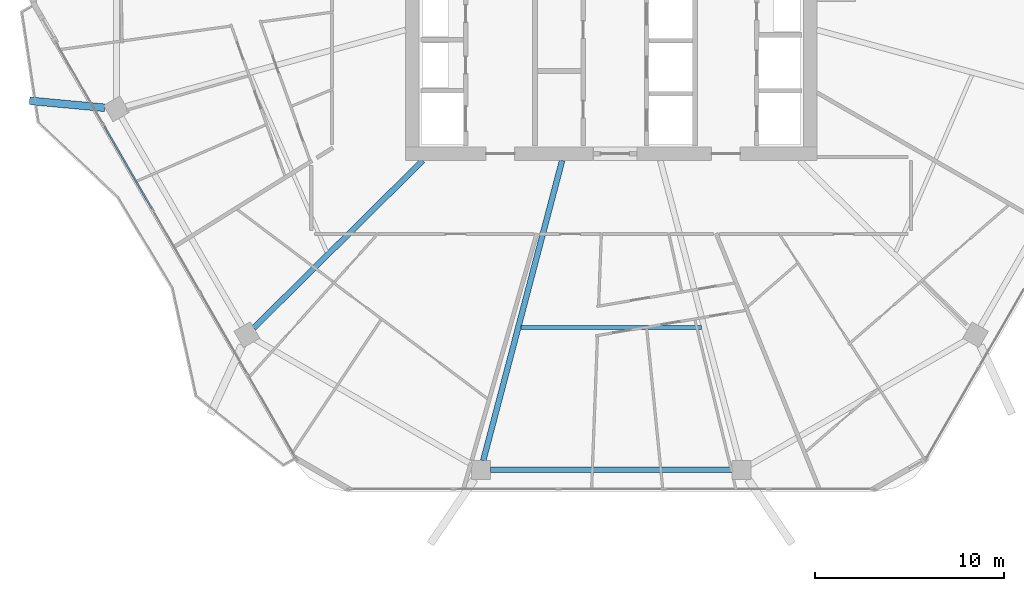
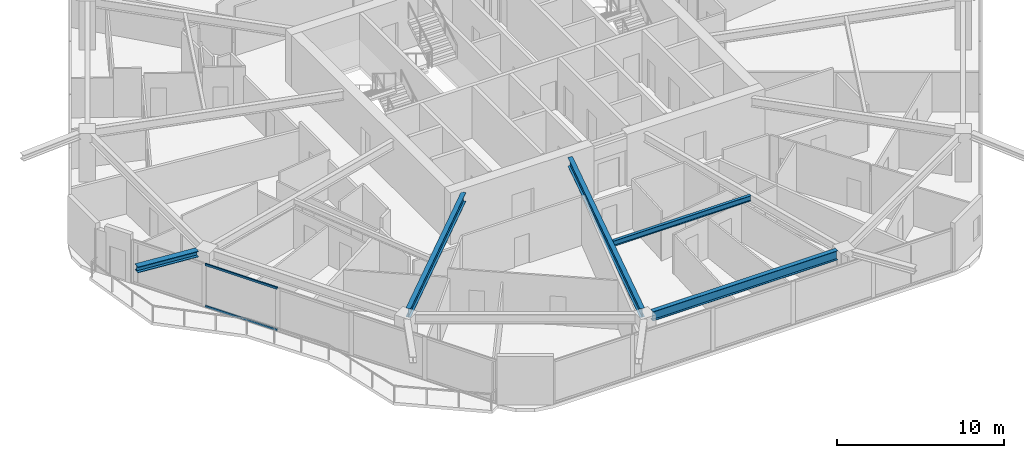
# One storey, part 4 of 26: 5 beams, 2 members, 1 element without a shape of its own.
"""IFC4 building model written with IfcOpenShell, lengths in metres."""

from ifc_helpers import new_model, si_unit, direction, frame, origin, origin_2d, place, context, subcontext, project, spatial, hollow_rectangle, i_section, extrude, material, material_profile, profile_set, type_object, element, aggregate, save


model = new_model("IFC4")

# Units and contexts
model_context = context("Model", 3, precision=1e-05, world=origin(), true_north=direction((0.0, 1.0)))
body_context = subcontext(model_context, "Body", "Model", "MODEL_VIEW")
ifc_project = project(units=[si_unit("LENGTHUNIT", "METRE"), si_unit("AREAUNIT", "SQUARE_METRE"), si_unit("VOLUMEUNIT", "CUBIC_METRE"), si_unit("PLANEANGLEUNIT", "RADIAN"), si_unit("MASSUNIT", "GRAM", prefix="KILO")], contexts=[model_context])

# Site, building, storey
site_placement = place(None, origin())
site = spatial("IfcSite", under=ifc_project, at=site_placement, CompositionType="ELEMENT")
building_placement = place(site_placement, origin())
building = spatial("IfcBuilding", under=site, at=building_placement, Name="Zuhravey Tower", CompositionType="ELEMENT")
storey_placement = place(building_placement, frame((0.0, 0.0, 158.0)))
storey = spatial("IfcBuildingStorey", under=building, at=storey_placement, Name="L39", CompositionType="ELEMENT", Elevation=158.0)

# Curtain wall, members
ifc_material_1 = material(Name="Thermally broken anodised aluminium", Category="aluminium")
curtain_wall_type = type_object("IfcCurtainWallType", Name="Zone 1-2 Residential Curtain Wall CW3", PredefinedType="NOTDEFINED", material=ifc_material_1)
curtain_wall_placement = place(storey_placement, origin())
curtain_wall = element("IfcCurtainWall", 1, at=curtain_wall_placement, inside=storey, type_object=curtain_wall_type, Name="L39 CW3 CW-L39-F4-1", PredefinedType="NOTDEFINED")
ifc_material_2 = material(Name="Anodised aluminium", Category="aluminium")
ifc_material_profile_1 = material_profile(ifc_material_2, hollow_rectangle(XDim=0.090087890625, YDim=0.14990234375, WallThickness=0.0048828125, at=origin_2d()), Name="ALU-RHS-90x150x5")
ifc_profile_set_1 = profile_set([ifc_material_profile_1], Name="Anodised aluminium")
member_type = type_object("IfcMemberType", Name="Curtain-Wall Transom 90x150", PredefinedType="USERDEFINED", material=ifc_profile_set_1)
member_1_placement = place(storey_placement, frame((11.755126953125, 19.627197265625, 0.044921875), z_axis=(-0.499995220348, 0.8660281633, 0.0), x_axis=(-0.8660281633, -0.499995220348, 0.0)))
member_1 = element("IfcMember", 2, at=member_1_placement, type_object=member_type, Name="CW3 transom 4.1", ObjectType="TRANSOM", PredefinedType="USERDEFINED", context=body_context, shape_type="SweptSolid", body=[
    extrude(hollow_rectangle(XDim=0.090087890625, YDim=0.14990234375, WallThickness=0.0048828125, at=origin_2d()), origin(), (0.0, 0.0, 1.0), 4.984375),
])
member_2_placement = place(storey_placement, frame((11.755126953125, 19.627197265625, 3.076904296875), z_axis=(-0.499995220348, 0.8660281633, 0.0), x_axis=(-0.8660281633, -0.499995220348, 0.0)))
member_2 = element("IfcMember", 3, at=member_2_placement, type_object=member_type, Name="CW3 transom 4.2", ObjectType="TRANSOM", PredefinedType="USERDEFINED", context=body_context, shape_type="SweptSolid", body=[
    extrude(hollow_rectangle(XDim=0.090087890625, YDim=0.14990234375, WallThickness=0.0048828125, at=origin_2d()), origin(), (0.0, 0.0, 1.0), 4.984375),
])
aggregate(curtain_wall, [member_1, member_2])

# Beams
ifc_material_3 = material(Name="Steel SM460", Category="steel")
ifc_material_profile_2 = material_profile(ifc_material_3, i_section(OverallWidth=0.406982421875, OverallDepth=0.427978515625, WebThickness=0.02001953125, FlangeThickness=0.034912109375, at=origin_2d()), Name="H-428x407x20x35")
ifc_profile_set_2 = profile_set([ifc_material_profile_2], Name="Steel SM460")
beam_type_1 = type_object("IfcBeamType", Name="Exoskeleton Node Tie Beam H428x407", PredefinedType="BEAM", material=ifc_profile_set_2)
beam_1_placement = place(storey_placement, frame((9.278076171875, 24.930908203125, 3.3359375), z_axis=(-0.995664387001, 0.093018430746, 0.0), x_axis=(-0.093018430746, -0.995664387001, 0.0)))
element("IfcBeam", 4, at=beam_1_placement, inside=storey, type_object=beam_type_1, Name="L39 Exoskeleton Node Tie NT1-07", PredefinedType="BEAM", context=body_context, shape_type="SweptSolid", body=[
    extrude(i_section(OverallWidth=0.406982421875, OverallDepth=0.427978515625, WebThickness=0.02001953125, FlangeThickness=0.034912109375, at=origin_2d()), origin(), (0.0, 0.0, 1.0), 3.989501953125),
])
ifc_material_4 = material(Name="Steel SM355", Category="steel")
ifc_material_profile_3 = material_profile(ifc_material_4, i_section(OverallWidth=0.300048828125, OverallDepth=0.679931640625, WebThickness=0.012939453125, FlangeThickness=0.02197265625, at=origin_2d()), Name="H-680x300x13x22")
ifc_profile_set_3 = profile_set([ifc_material_profile_3], Name="Steel SM355")
beam_type_2 = type_object("IfcBeamType", Name="Perimeter Ring Beam H680x300", PredefinedType="BEAM", material=ifc_profile_set_3)
beam_2_placement = place(storey_placement, frame((29.62109375, 5.826904296875, 3.2099609375), z_axis=(1.0, 0.0, 0.0), x_axis=(0.0, 1.0, 0.0)))
element("IfcBeam", 5, at=beam_2_placement, inside=storey, type_object=beam_type_2, Name="L39 PB2 BM-L39-PB-09", PredefinedType="BEAM", context=body_context, shape_type="SweptSolid", body=[
    extrude(i_section(OverallWidth=0.300048828125, OverallDepth=0.679931640625, WebThickness=0.012939453125, FlangeThickness=0.02197265625, at=origin_2d()), origin(), (0.0, 0.0, 1.0), 12.7578125),
])
ifc_material_profile_4 = material_profile(ifc_material_4, i_section(OverallWidth=0.300048828125, OverallDepth=0.64990234375, WebThickness=0.012939453125, FlangeThickness=0.02197265625, at=origin_2d()), Name="H-650x300x13x22")
ifc_profile_set_4 = profile_set([ifc_material_profile_4], Name="Steel SM355")
beam_type_3 = type_object("IfcBeamType", Name="Radial Primary Girder H650x300", PredefinedType="BEAM", material=ifc_profile_set_4)
beam_3_placement = place(storey_placement, frame((26.054443359375, 22.14697265625, 3.22509765625), z_axis=(-0.71040353357, -0.703794586148, 0.0), x_axis=(0.703794586148, -0.71040353357, 0.0)))
element("IfcBeam", 6, at=beam_3_placement, inside=storey, type_object=beam_type_3, Name="L39 RG2 BM-L39-RAD-08", PredefinedType="BEAM", context=body_context, shape_type="SweptSolid", body=[
    extrude(i_section(OverallWidth=0.300048828125, OverallDepth=0.64990234375, WebThickness=0.012939453125, FlangeThickness=0.02197265625, at=origin_2d()), origin(), (0.0, 0.0, 1.0), 12.559814453125),
])
beam_4_placement = place(storey_placement, frame((33.4091796875, 22.14697265625, 3.22509765625), z_axis=(-0.254300244998, -0.967125320418, 0.0), x_axis=(0.967125320418, -0.254300244998, 0.0)))
element("IfcBeam", 7, at=beam_4_placement, inside=storey, type_object=beam_type_3, Name="L39 RG2 BM-L39-RAD-09", PredefinedType="BEAM", context=body_context, shape_type="SweptSolid", body=[
    extrude(i_section(OverallWidth=0.300048828125, OverallDepth=0.64990234375, WebThickness=0.012939453125, FlangeThickness=0.02197265625, at=origin_2d()), origin(), (0.0, 0.0, 1.0), 16.371826171875),
])
ifc_material_profile_5 = material_profile(ifc_material_4, i_section(OverallWidth=0.199951171875, OverallDepth=0.39990234375, WebThickness=0.008056640625, FlangeThickness=0.012939453125, at=origin_2d()), Name="H-400x200x8x13")
ifc_profile_set_5 = profile_set([ifc_material_profile_5], Name="Steel SM355")
beam_type_4 = type_object("IfcBeamType", Name="Secondary Floor Joist H400x200", PredefinedType="JOIST", material=ifc_profile_set_5)
beam_5_placement = place(storey_placement, frame((31.245849609375, 13.334228515625, 3.35009765625), z_axis=(1.0, 0.0, 0.0), x_axis=(0.0, 1.0, 0.0)))
element("IfcBeam", 8, at=beam_5_placement, inside=storey, type_object=beam_type_4, Name="L39 SJ2 BM-L39-SJ-09-1", PredefinedType="JOIST", context=body_context, shape_type="SweptSolid", body=[
    extrude(i_section(OverallWidth=0.199951171875, OverallDepth=0.39990234375, WebThickness=0.008056640625, FlangeThickness=0.012939453125, at=origin_2d()), origin(), (0.0, 0.0, 1.0), 9.50830078125),
])

save(model, "model.ifc")
